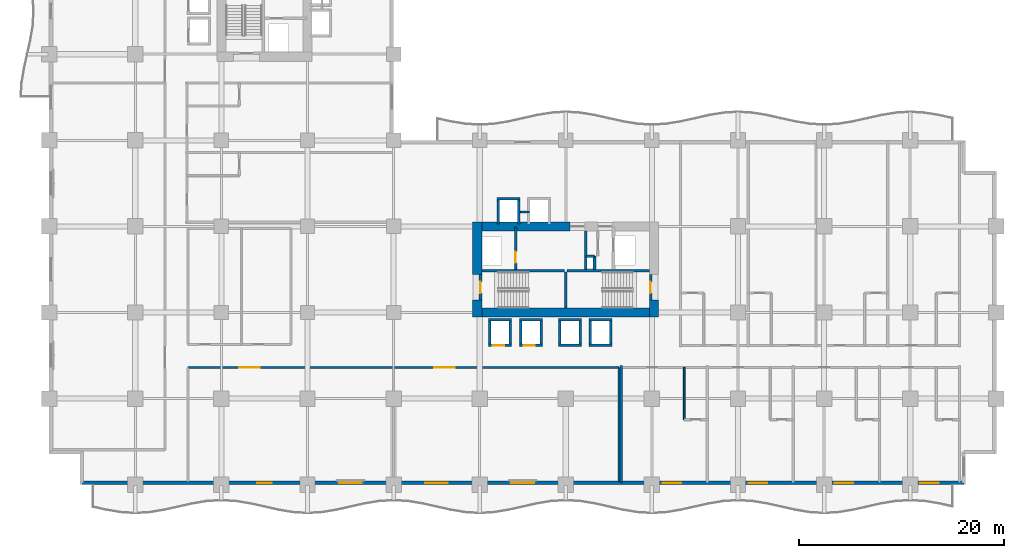
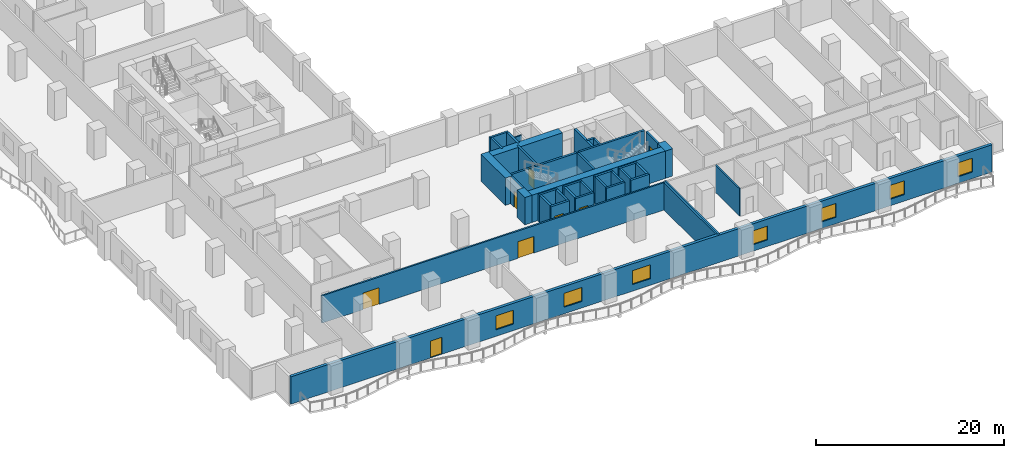
# One storey, part 8 of 21: 39 walls, 8 doors, 7 windows, 15 openings.
"""IFC4 building model written with IfcOpenShell, lengths in metres."""

from ifc_helpers import new_model, si_unit, direction, frame, frame_2d, origin, place, context, subcontext, project, spatial, rectangle, extrude, material, layer, layer_set, type_object, element, fill, save


model = new_model("IFC4")

# Units and contexts
model_context = context("Model", 3, precision=1e-05, world=origin(), true_north=direction((0.0, 1.0)))
body_context = subcontext(model_context, "Body", "Model", "MODEL_VIEW")
ifc_project = project(units=[si_unit("LENGTHUNIT", "METRE"), si_unit("AREAUNIT", "SQUARE_METRE"), si_unit("VOLUMEUNIT", "CUBIC_METRE"), si_unit("PLANEANGLEUNIT", "RADIAN"), si_unit("MASSUNIT", "GRAM", prefix="KILO")], contexts=[model_context])

# Site, building, storey
site_placement = place(None, origin())
site = spatial("IfcSite", under=ifc_project, at=site_placement, CompositionType="ELEMENT")
building_placement = place(site_placement, origin())
building = spatial("IfcBuilding", under=site, at=building_placement, Name="Koriwani Terraces Tower", CompositionType="ELEMENT")
storey_placement = place(building_placement, frame((0.0, 0.0, 77.60009765625)))
storey = spatial("IfcBuildingStorey", under=building, at=storey_placement, Name="L18", CompositionType="ELEMENT", Elevation=77.60009765625)

# Walls
ifc_material_1 = material(Name="Concrete C60/75", Category="concrete")
ifc_layer_1 = layer(ifc_material_1, 0.89990234375, Name="Concrete C60/75")
ifc_layer_set_1 = layer_set([ifc_layer_1], Name="Concrete C60/75")
wall_type_1 = type_object("IfcWallType", Name="WALL_CORE_RC_900", PredefinedType="SHEAR", material=ifc_layer_set_1)
wall_1_placement = place(storey_placement, frame((41.75, 16.35009765625, 0.0), z_axis=(0.0, 0.0, 1.0), x_axis=(0.0, 1.0, 0.0)))
element("IfcWall", 1, at=wall_1_placement, inside=storey, type_object=wall_type_1, Name="L18 East Split Core Shear Wall W1", PredefinedType="SHEAR", context=body_context, shape_type="SweptSolid", body=[
    extrude(rectangle(XDim=1.64990234375, YDim=0.89990234375, at=frame_2d((0.824951171875, 0.0))), origin(), (0.0, 0.0, 1.0), 3.5498046875),
])
wall_2_placement = place(storey_placement, frame((41.75, 20.5, 0.0), z_axis=(0.0, 0.0, 1.0), x_axis=(0.0, 1.0, 0.0)))
element("IfcWall", 2, at=wall_2_placement, inside=storey, type_object=wall_type_1, Name="L18 East Split Core Shear Wall W2", PredefinedType="SHEAR", context=body_context, shape_type="SweptSolid", body=[
    extrude(rectangle(XDim=5.14990234375, YDim=0.89990234375, at=frame_2d((2.574951171875, 0.0))), origin(), (0.0, 0.0, 1.0), 3.5498046875),
])
wall_3_placement = place(storey_placement, frame((59.0, 16.35009765625, 0.0), z_axis=(0.0, 0.0, 1.0), x_axis=(0.0, 1.0, 0.0)))
element("IfcWall", 3, at=wall_3_placement, inside=storey, type_object=wall_type_1, Name="L18 East Split Core Shear Wall E1", PredefinedType="SHEAR", context=body_context, shape_type="SweptSolid", body=[
    extrude(rectangle(XDim=1.64990234375, YDim=0.89990234375, at=frame_2d((0.824951171875, 0.0))), origin(), (0.0, 0.0, 1.0), 3.5498046875),
])
wall_4_placement = place(storey_placement, frame((42.199951171875, 16.800048828125, 0.0), z_axis=(0.0, 0.0, 1.0), x_axis=(1.0, 0.0, 0.0)))
element("IfcWall", 4, at=wall_4_placement, inside=storey, type_object=wall_type_1, Name="L18 East Split Core Shear Wall S1", PredefinedType="SHEAR", context=body_context, shape_type="SweptSolid", body=[
    extrude(rectangle(XDim=16.35009765625, YDim=0.89990234375, at=frame_2d((8.175048828125, 0.0))), origin(), (0.0, 0.0, 1.0), 3.5498046875),
])
wall_5_placement = place(storey_placement, frame((42.199951171875, 25.199951171875, 0.0), z_axis=(0.0, 0.0, 1.0), x_axis=(1.0, 0.0, 0.0)))
element("IfcWall", 5, at=wall_5_placement, inside=storey, type_object=wall_type_1, Name="L18 East Split Core Shear Wall N1", PredefinedType="SHEAR", context=body_context, shape_type="SweptSolid", body=[
    extrude(rectangle(XDim=8.60009765625, YDim=0.89990234375, at=frame_2d((4.300048828125, 0.0))), origin(), (0.0, 0.0, 1.0), 3.5498046875),
])

# Wall, openings, doors
ifc_material_2 = material(Name="Autoclaved Cellular Concrete Blockwork", Category="masonry")
ifc_layer_2 = layer(ifc_material_2, 0.199951171875, Name="Autoclaved Cellular Concrete Blockwork")
ifc_layer_set_2 = layer_set([ifc_layer_2], Name="Autoclaved Cellular Concrete Blockwork")
wall_type_2 = type_object("IfcWallType", Name="WALL_CORRIDOR_200", PredefinedType="PARTITIONING", material=ifc_layer_set_2)
wall_6_placement = place(storey_placement, frame((13.550048828125, 11.449951171875, 0.0), z_axis=(0.0, 0.0, 1.0), x_axis=(1.0, 0.0, 0.0)))
wall_6 = element("IfcWall", 6, at=wall_6_placement, inside=storey, type_object=wall_type_2, Name="L18 Interior Wall WZ1CLB-L18", PredefinedType="PARTITIONING", context=body_context, shape_type="SweptSolid", body=[
    extrude(rectangle(XDim=42.050048828125, YDim=0.199951171875, at=frame_2d((21.02490234375, 0.0))), origin(), (0.0, 0.0, 1.0), 3.5498046875),
])
opening_1_placement = place(wall_6_placement, frame((5.0, 0.0, 0.0)))
opening_1 = element("IfcOpeningElement", 7, at=opening_1_placement, cuts=wall_6, Name="Opening D-02", PredefinedType="OPENING", context=body_context, shape_type="SweptSolid", body=[
    extrude(rectangle(XDim=2.0, YDim=2.14990234375, at=frame_2d((1.0, 1.074951171875))), frame((0.0, 0.10986328125, 0.0), z_axis=(0.0, -1.0, 0.0), x_axis=(1.0, 0.0, 0.0)), (0.0, 0.0, 1.0), 0.219970703125),
])
opening_2_placement = place(wall_6_placement, frame((24.0, 0.0, 0.0)))
opening_2 = element("IfcOpeningElement", 8, at=opening_2_placement, cuts=wall_6, Name="Opening D-02", PredefinedType="OPENING", context=body_context, shape_type="SweptSolid", body=[
    extrude(rectangle(XDim=2.0, YDim=2.14990234375, at=frame_2d((1.0, 1.074951171875))), frame((0.0, 0.10986328125, 0.0), z_axis=(0.0, -1.0, 0.0), x_axis=(1.0, 0.0, 0.0)), (0.0, 0.0, 1.0), 0.219970703125),
])
ifc_material_3 = material(Name="Anodised Bronze Aluminium", Category="aluminium")
door_type_1 = type_object("IfcDoorType", Name="DOOR_ENTRANCE_DOUBLE_2000X2400", OperationType="NOTDEFINED", PredefinedType="DOOR", material=ifc_material_3)
door_1_placement = place(opening_1_placement, origin())
door_1 = element("IfcDoor", 9, at=door_1_placement, inside=storey, type_object=door_type_1, Name="L18 Executive Club Lounge Door", OperationType="SINGLE_SWING_RIGHT", OverallHeight=2.14990234375, OverallWidth=2.0, PredefinedType="DOOR", context=body_context, shape_type="SweptSolid", body=[
    extrude(rectangle(XDim=2.0, YDim=2.14990234375, at=frame_2d((1.0, 1.074951171875))), frame((0.0, 0.02490234375, 0.0), z_axis=(0.0, -1.0, 0.0), x_axis=(1.0, 0.0, 0.0)), (0.0, 0.0, 1.0), 0.050048828125),
])
fill(opening_1, door_1)
door_2_placement = place(opening_2_placement, origin())
door_2 = element("IfcDoor", 10, at=door_2_placement, inside=storey, type_object=door_type_1, Name="L18 Altitude Dining Salon Door", OperationType="SINGLE_SWING_LEFT", OverallHeight=2.14990234375, OverallWidth=2.0, PredefinedType="DOOR", context=body_context, shape_type="SweptSolid", body=[
    extrude(rectangle(XDim=2.0, YDim=2.14990234375, at=frame_2d((1.0, 1.074951171875))), frame((0.0, 0.02490234375, 0.0), z_axis=(0.0, -1.0, 0.0), x_axis=(1.0, 0.0, 0.0)), (0.0, 0.0, 1.0), 0.050048828125),
])
fill(opening_2, door_2)

# Walls
ifc_layer_3 = layer(ifc_material_2, 0.219970703125, Name="Autoclaved Cellular Concrete Blockwork")
ifc_layer_set_3 = layer_set([ifc_layer_3], Name="Autoclaved Cellular Concrete Blockwork")
wall_type_3 = type_object("IfcWallType", Name="WALL_DEMISING_220", PredefinedType="PARTITIONING", material=ifc_layer_set_3)
wall_7_placement = place(storey_placement, frame((55.60009765625, 0.300048828125, 0.0), z_axis=(0.0, 0.0, 1.0), x_axis=(0.0, 1.0, 0.0)))
element("IfcWall", 11, at=wall_7_placement, inside=storey, type_object=wall_type_3, Name="L18 Interior Wall WZ1CLBE-L18", PredefinedType="PARTITIONING", context=body_context, shape_type="SweptSolid", body=[
    extrude(rectangle(XDim=11.14990234375, YDim=0.219970703125, at=frame_2d((5.574951171875, 0.0))), origin(), (0.0, 0.0, 1.0), 3.5498046875),
])
wall_8_placement = place(storey_placement, frame((55.800048828125, 0.199951171875, 0.0), z_axis=(0.0, 0.0, 1.0), x_axis=(0.0, 1.0, 0.0)))
element("IfcWall", 12, at=wall_8_placement, inside=storey, type_object=wall_type_3, Name="L18 Interior Wall WDEM-L18-SW-0", PredefinedType="PARTITIONING", context=body_context, shape_type="SweptSolid", body=[
    extrude(rectangle(XDim=11.429931640625, YDim=0.219970703125, at=frame_2d((5.71484375, 0.0))), origin(), (0.0, 0.0, 1.0), 3.5498046875),
])

# Wall, openings, door, windows
ifc_material_4 = material(Name="Concrete C50/60", Category="concrete")
ifc_layer_4 = layer(ifc_material_4, 0.35009765625, Name="Concrete C50/60")
ifc_layer_set_4 = layer_set([ifc_layer_4], Name="Concrete C50/60")
wall_type_4 = type_object("IfcWallType", Name="WALL_EXT_BRUTALIST_350", PredefinedType="STANDARD", material=ifc_layer_set_4)
wall_9_placement = place(storey_placement, frame((89.22509765625, 0.175048828125, 0.0), z_axis=(0.0, 0.0, 1.0), x_axis=(-1.0, 0.0, 0.0)))
wall_9 = element("IfcWall", 13, at=wall_9_placement, inside=storey, type_object=wall_type_4, Name="L18 Fair-Faced Brutalist Exterior Wall (S)", PredefinedType="STANDARD", context=body_context, shape_type="SweptSolid", body=[
    extrude(rectangle(XDim=86.050048828125, YDim=0.35009765625, at=frame_2d((43.02490234375, 0.0))), origin(), (0.0, 0.0, 1.0), 3.5498046875),
])
opening_3_placement = place(wall_9_placement, frame((67.52490234375, 0.0, 0.0)))
opening_3 = element("IfcOpeningElement", 14, at=opening_3_placement, cuts=wall_9, Name="Opening D-09", PredefinedType="OPENING", context=body_context, shape_type="SweptSolid", body=[
    extrude(rectangle(XDim=1.39990234375, YDim=2.199951171875, at=frame_2d((0.699951171875, 1.10009765625))), frame((0.0, 0.18505859375, 0.0), z_axis=(0.0, -1.0, 0.0), x_axis=(1.0, 0.0, 0.0)), (0.0, 0.0, 1.0), 0.3701171875),
])
opening_4_placement = place(wall_9_placement, frame((58.72509765625, 0.0, 0.85009765625)))
opening_4 = element("IfcOpeningElement", 15, at=opening_4_placement, cuts=wall_9, Name="Opening W-01", PredefinedType="OPENING", context=body_context, shape_type="SweptSolid", body=[
    extrude(rectangle(XDim=2.199951171875, YDim=1.800048828125, at=frame_2d((1.10009765625, 0.89990234375))), frame((0.0, 0.18505859375, 0.0), z_axis=(0.0, -1.0, 0.0), x_axis=(1.0, 0.0, 0.0)), (0.0, 0.0, 1.0), 0.3701171875),
])
opening_5_placement = place(wall_9_placement, frame((50.324951171875, 0.0, 0.85009765625)))
opening_5 = element("IfcOpeningElement", 16, at=opening_5_placement, cuts=wall_9, Name="Opening W-01", PredefinedType="OPENING", context=body_context, shape_type="SweptSolid", body=[
    extrude(rectangle(XDim=2.199951171875, YDim=1.800048828125, at=frame_2d((1.10009765625, 0.89990234375))), frame((0.0, 0.18505859375, 0.0), z_axis=(0.0, -1.0, 0.0), x_axis=(1.0, 0.0, 0.0)), (0.0, 0.0, 1.0), 0.3701171875),
])
opening_6_placement = place(wall_9_placement, frame((41.925048828125, 0.0, 0.85009765625)))
opening_6 = element("IfcOpeningElement", 17, at=opening_6_placement, cuts=wall_9, Name="Opening W-01", PredefinedType="OPENING", context=body_context, shape_type="SweptSolid", body=[
    extrude(rectangle(XDim=2.199951171875, YDim=1.800048828125, at=frame_2d((1.10009765625, 0.89990234375))), frame((0.0, 0.18505859375, 0.0), z_axis=(0.0, -1.0, 0.0), x_axis=(1.0, 0.0, 0.0)), (0.0, 0.0, 1.0), 0.3701171875),
])
opening_7_placement = place(wall_9_placement, frame((27.574951171875, 0.0, 0.85009765625)))
opening_7 = element("IfcOpeningElement", 18, at=opening_7_placement, cuts=wall_9, Name="Opening W-04", PredefinedType="OPENING", context=body_context, shape_type="SweptSolid", body=[
    extrude(rectangle(XDim=1.800048828125, YDim=1.800048828125, at=frame_2d((0.89990234375, 0.89990234375))), frame((0.0, 0.18505859375, 0.0), z_axis=(0.0, -1.0, 0.0), x_axis=(1.0, 0.0, 0.0)), (0.0, 0.0, 1.0), 0.3701171875),
])
opening_8_placement = place(wall_9_placement, frame((19.175048828125, 0.0, 0.85009765625)))
opening_8 = element("IfcOpeningElement", 19, at=opening_8_placement, cuts=wall_9, Name="Opening W-04", PredefinedType="OPENING", context=body_context, shape_type="SweptSolid", body=[
    extrude(rectangle(XDim=1.800048828125, YDim=1.800048828125, at=frame_2d((0.89990234375, 0.89990234375))), frame((0.0, 0.18505859375, 0.0), z_axis=(0.0, -1.0, 0.0), x_axis=(1.0, 0.0, 0.0)), (0.0, 0.0, 1.0), 0.3701171875),
])
opening_9_placement = place(wall_9_placement, frame((10.77490234375, 0.0, 0.85009765625)))
opening_9 = element("IfcOpeningElement", 20, at=opening_9_placement, cuts=wall_9, Name="Opening W-04", PredefinedType="OPENING", context=body_context, shape_type="SweptSolid", body=[
    extrude(rectangle(XDim=1.800048828125, YDim=1.800048828125, at=frame_2d((0.89990234375, 0.89990234375))), frame((0.0, 0.18505859375, 0.0), z_axis=(0.0, -1.0, 0.0), x_axis=(1.0, 0.0, 0.0)), (0.0, 0.0, 1.0), 0.3701171875),
])
opening_10_placement = place(wall_9_placement, frame((2.425048828125, 0.0, 0.85009765625)))
opening_10 = element("IfcOpeningElement", 21, at=opening_10_placement, cuts=wall_9, Name="Opening W-04", PredefinedType="OPENING", context=body_context, shape_type="SweptSolid", body=[
    extrude(rectangle(XDim=1.800048828125, YDim=1.800048828125, at=frame_2d((0.89990234375, 0.89990234375))), frame((0.0, 0.18505859375, 0.0), z_axis=(0.0, -1.0, 0.0), x_axis=(1.0, 0.0, 0.0)), (0.0, 0.0, 1.0), 0.3701171875),
])
door_type_2 = type_object("IfcDoorType", Name="DOOR_BALCONY_GLAZED_1400X2200", OperationType="NOTDEFINED", PredefinedType="DOOR", material=ifc_material_3)
door_3_placement = place(opening_3_placement, origin())
door_3 = element("IfcDoor", 22, at=door_3_placement, inside=storey, type_object=door_type_2, Name="L18 South Balcony Glazed Door", OperationType="SINGLE_SWING_LEFT", OverallHeight=2.199951171875, OverallWidth=1.39990234375, PredefinedType="DOOR", context=body_context, shape_type="SweptSolid", body=[
    extrude(rectangle(XDim=1.39990234375, YDim=2.199951171875, at=frame_2d((0.699951171875, 1.10009765625))), frame((0.0, 0.02490234375, 0.0), z_axis=(0.0, -1.0, 0.0), x_axis=(1.0, 0.0, 0.0)), (0.0, 0.0, 1.0), 0.050048828125),
])
fill(opening_3, door_3)
ifc_material_5 = material(Name="Tempered Laminated Low-E Glass", Category="glass")
window_type_1 = type_object("IfcWindowType", Name="WIN_HOTEL_STD_2200X1800", PartitioningType="DOUBLE_PANEL_VERTICAL", PredefinedType="WINDOW", material=ifc_material_5)
window_1_placement = place(opening_4_placement, origin())
window_1 = element("IfcWindow", 23, at=window_1_placement, inside=storey, type_object=window_type_1, Name="L18 Exterior Window (S-9)", OverallHeight=1.800048828125, OverallWidth=2.199951171875, PartitioningType="SINGLE_PANEL", PredefinedType="WINDOW", context=body_context, shape_type="SweptSolid", body=[
    extrude(rectangle(XDim=2.199951171875, YDim=1.800048828125, at=frame_2d((1.10009765625, 0.89990234375))), frame((0.0, 0.030029296875, 0.0), z_axis=(0.0, -1.0, 0.0), x_axis=(1.0, 0.0, 0.0)), (0.0, 0.0, 1.0), 0.06005859375),
])
fill(opening_4, window_1)
window_2_placement = place(opening_5_placement, origin())
window_2 = element("IfcWindow", 24, at=window_2_placement, inside=storey, type_object=window_type_1, Name="L18 Exterior Window (S-12)", OverallHeight=1.800048828125, OverallWidth=2.199951171875, PartitioningType="SINGLE_PANEL", PredefinedType="WINDOW", context=body_context, shape_type="SweptSolid", body=[
    extrude(rectangle(XDim=2.199951171875, YDim=1.800048828125, at=frame_2d((1.10009765625, 0.89990234375))), frame((0.0, 0.030029296875, 0.0), z_axis=(0.0, -1.0, 0.0), x_axis=(1.0, 0.0, 0.0)), (0.0, 0.0, 1.0), 0.06005859375),
])
fill(opening_5, window_2)
window_3_placement = place(opening_6_placement, origin())
window_3 = element("IfcWindow", 25, at=window_3_placement, inside=storey, type_object=window_type_1, Name="L18 Exterior Window (S-15)", OverallHeight=1.800048828125, OverallWidth=2.199951171875, PartitioningType="SINGLE_PANEL", PredefinedType="WINDOW", context=body_context, shape_type="SweptSolid", body=[
    extrude(rectangle(XDim=2.199951171875, YDim=1.800048828125, at=frame_2d((1.10009765625, 0.89990234375))), frame((0.0, 0.030029296875, 0.0), z_axis=(0.0, -1.0, 0.0), x_axis=(1.0, 0.0, 0.0)), (0.0, 0.0, 1.0), 0.06005859375),
])
fill(opening_6, window_3)
window_type_2 = type_object("IfcWindowType", Name="WIN_RES_BED_1800X1800", PartitioningType="DOUBLE_PANEL_VERTICAL", PredefinedType="WINDOW", material=ifc_material_5)
window_4_placement = place(opening_7_placement, origin())
window_4 = element("IfcWindow", 26, at=window_4_placement, inside=storey, type_object=window_type_2, Name="L18 Exterior Window (S-R39)", OverallHeight=1.800048828125, OverallWidth=1.800048828125, PartitioningType="SINGLE_PANEL", PredefinedType="WINDOW", context=body_context, shape_type="SweptSolid", body=[
    extrude(rectangle(XDim=1.800048828125, YDim=1.800048828125, at=frame_2d((0.89990234375, 0.89990234375))), frame((0.0, 0.030029296875, 0.0), z_axis=(0.0, -1.0, 0.0), x_axis=(1.0, 0.0, 0.0)), (0.0, 0.0, 1.0), 0.06005859375),
])
fill(opening_7, window_4)
window_5_placement = place(opening_8_placement, origin())
window_5 = element("IfcWindow", 27, at=window_5_placement, inside=storey, type_object=window_type_2, Name="L18 Exterior Window (S-R41)", OverallHeight=1.800048828125, OverallWidth=1.800048828125, PartitioningType="SINGLE_PANEL", PredefinedType="WINDOW", context=body_context, shape_type="SweptSolid", body=[
    extrude(rectangle(XDim=1.800048828125, YDim=1.800048828125, at=frame_2d((0.89990234375, 0.89990234375))), frame((0.0, 0.030029296875, 0.0), z_axis=(0.0, -1.0, 0.0), x_axis=(1.0, 0.0, 0.0)), (0.0, 0.0, 1.0), 0.06005859375),
])
fill(opening_8, window_5)
window_6_placement = place(opening_9_placement, origin())
window_6 = element("IfcWindow", 28, at=window_6_placement, inside=storey, type_object=window_type_2, Name="L18 Exterior Window (S-R43)", OverallHeight=1.800048828125, OverallWidth=1.800048828125, PartitioningType="SINGLE_PANEL", PredefinedType="WINDOW", context=body_context, shape_type="SweptSolid", body=[
    extrude(rectangle(XDim=1.800048828125, YDim=1.800048828125, at=frame_2d((0.89990234375, 0.89990234375))), frame((0.0, 0.030029296875, 0.0), z_axis=(0.0, -1.0, 0.0), x_axis=(1.0, 0.0, 0.0)), (0.0, 0.0, 1.0), 0.06005859375),
])
fill(opening_9, window_6)
window_7_placement = place(opening_10_placement, origin())
window_7 = element("IfcWindow", 29, at=window_7_placement, inside=storey, type_object=window_type_2, Name="L18 Exterior Window (S-R45)", OverallHeight=1.800048828125, OverallWidth=1.800048828125, PartitioningType="SINGLE_PANEL", PredefinedType="WINDOW", context=body_context, shape_type="SweptSolid", body=[
    extrude(rectangle(XDim=1.800048828125, YDim=1.800048828125, at=frame_2d((0.89990234375, 0.89990234375))), frame((0.0, 0.030029296875, 0.0), z_axis=(0.0, -1.0, 0.0), x_axis=(1.0, 0.0, 0.0)), (0.0, 0.0, 1.0), 0.06005859375),
])
fill(opening_10, window_7)

# Walls
ifc_material_6 = material(Name="Fire-Rated Acoustic Gypsum Partition", Category="masonry")
ifc_layer_5 = layer(ifc_material_6, 0.179931640625, Name="Fire-Rated Acoustic Gypsum Partition")
ifc_layer_set_5 = layer_set([ifc_layer_5], Name="Fire-Rated Acoustic Gypsum Partition")
wall_type_5 = type_object("IfcWallType", Name="WALL_PLUMBING_180", PredefinedType="PLUMBINGWALL", material=ifc_layer_set_5)
wall_10_placement = place(storey_placement, frame((61.949951171875, 6.35009765625, 0.0), z_axis=(0.0, 0.0, 1.0), x_axis=(0.0, 1.0, 0.0)))
element("IfcWall", 30, at=wall_10_placement, inside=storey, type_object=wall_type_5, Name="L18 Interior Wall WBTH2-L18-SW-0", PredefinedType="PLUMBINGWALL", context=body_context, shape_type="SweptSolid", body=[
    extrude(rectangle(XDim=5.099853515625, YDim=0.179931640625, at=frame_2d((2.5498046875, 0.0))), origin(), (0.0, 0.0, 1.0), 3.5498046875),
])
ifc_material_7 = material(Name="Concrete C40/50", Category="concrete")
ifc_layer_6 = layer(ifc_material_7, 0.25, Name="Concrete C40/50")
ifc_layer_set_6 = layer_set([ifc_layer_6], Name="Concrete C40/50")
wall_type_6 = type_object("IfcWallType", Name="WALL_SHAFT_RATED_250", PredefinedType="SOLIDWALL", material=ifc_layer_set_6)
for number, where, z_axis, x_axis, name in (
    (31, (42.199951171875, 20.875, 0.0), (0.0, 0.0, 1.0), (1.0, 0.0, 0.0), "L18 East Split Core Web Wall MID1"),
    (32, (50.5, 20.875, 0.0), (0.0, 0.0, 1.0), (1.0, 0.0, 0.0), "L18 East Split Core Web Wall MID2"),
):
    element("IfcWall", number, at=place(storey_placement, frame(where, z_axis=z_axis, x_axis=x_axis)), inside=storey, type_object=wall_type_6, Name=name, PredefinedType="SOLIDWALL", context=body_context, shape_type="SweptSolid", body=[
        extrude(rectangle(XDim=8.050048828125, YDim=0.25, at=frame_2d((4.02490234375, 0.0))), origin(), (0.0, 0.0, 1.0), 3.5498046875),
    ])
wall_11_placement = place(storey_placement, frame((50.375, 17.25, 0.0), z_axis=(0.0, 0.0, 1.0), x_axis=(0.0, 1.0, 0.0)))
element("IfcWall", 33, at=wall_11_placement, inside=storey, type_object=wall_type_6, Name="L18 East Split Core Stair Dividing Wall", PredefinedType="SOLIDWALL", context=body_context, shape_type="SweptSolid", body=[
    extrude(rectangle(XDim=3.5, YDim=0.25, at=frame_2d((1.75, 0.0))), origin(), (0.0, 0.0, 1.0), 3.5498046875),
])

# Wall, opening, door
wall_12_placement = place(storey_placement, frame((42.074951171875, 18.0, 0.0), z_axis=(0.0, 0.0, 1.0), x_axis=(0.0, 1.0, 0.0)))
wall_12 = element("IfcWall", 34, at=wall_12_placement, inside=storey, type_object=wall_type_6, Name="L18 Interior Wall WIN-CE-L18-STW", PredefinedType="SOLIDWALL", context=body_context, shape_type="SweptSolid", body=[
    extrude(rectangle(XDim=2.5, YDim=0.25, at=frame_2d((1.25, 0.0))), origin(), (0.0, 0.0, 1.0), 3.5498046875),
])
opening_11_placement = place(wall_12_placement, frame((0.699951171875, 0.0, 0.0)))
opening_11 = element("IfcOpeningElement", 35, at=opening_11_placement, cuts=wall_12, Name="Opening D-03", PredefinedType="OPENING", context=body_context, shape_type="SweptSolid", body=[
    extrude(rectangle(XDim=1.10009765625, YDim=2.14990234375, at=frame_2d((0.550048828125, 1.074951171875))), frame((0.0, 0.135009765625, 0.0), z_axis=(0.0, -1.0, 0.0), x_axis=(1.0, 0.0, 0.0)), (0.0, 0.0, 1.0), 0.27001953125),
])
ifc_material_8 = material(Name="Steel ASTM A572 Grade 50", Category="steel")
door_type_3 = type_object("IfcDoorType", Name="DOOR_STAIR_FIRE_1100X2150", OperationType="NOTDEFINED", PredefinedType="DOOR", material=ifc_material_8)
door_4_placement = place(opening_11_placement, origin())
door_4 = element("IfcDoor", 36, at=door_4_placement, inside=storey, type_object=door_type_3, Name="L18 Exit Stair ST-E1 Door", OperationType="SINGLE_SWING_LEFT", OverallHeight=2.14990234375, OverallWidth=1.10009765625, PredefinedType="DOOR", context=body_context, shape_type="SweptSolid", body=[
    extrude(rectangle(XDim=1.10009765625, YDim=2.14990234375, at=frame_2d((0.550048828125, 1.074951171875))), frame((0.0, 0.02490234375, 0.0), z_axis=(0.0, -1.0, 0.0), x_axis=(1.0, 0.0, 0.0)), (0.0, 0.0, 1.0), 0.050048828125),
])
fill(opening_11, door_4)

wall_13_placement = place(storey_placement, frame((58.675048828125, 18.0, 0.0), z_axis=(0.0, 0.0, 1.0), x_axis=(0.0, 1.0, 0.0)))
wall_13 = element("IfcWall", 37, at=wall_13_placement, inside=storey, type_object=wall_type_6, Name="L18 Interior Wall WIN-CE-L18-STE", PredefinedType="SOLIDWALL", context=body_context, shape_type="SweptSolid", body=[
    extrude(rectangle(XDim=2.5, YDim=0.25, at=frame_2d((1.25, 0.0))), origin(), (0.0, 0.0, 1.0), 3.5498046875),
])
opening_12_placement = place(wall_13_placement, frame((0.699951171875, 0.0, 0.0)))
opening_12 = element("IfcOpeningElement", 38, at=opening_12_placement, cuts=wall_13, Name="Opening D-03", PredefinedType="OPENING", context=body_context, shape_type="SweptSolid", body=[
    extrude(rectangle(XDim=1.10009765625, YDim=2.14990234375, at=frame_2d((0.550048828125, 1.074951171875))), frame((0.0, 0.135009765625, 0.0), z_axis=(0.0, -1.0, 0.0), x_axis=(1.0, 0.0, 0.0)), (0.0, 0.0, 1.0), 0.27001953125),
])
door_5_placement = place(opening_12_placement, origin())
door_5 = element("IfcDoor", 39, at=door_5_placement, inside=storey, type_object=door_type_3, Name="L18 Exit Stair ST-E2 Door", OperationType="SINGLE_SWING_RIGHT", OverallHeight=2.14990234375, OverallWidth=1.10009765625, PredefinedType="DOOR", context=body_context, shape_type="SweptSolid", body=[
    extrude(rectangle(XDim=1.10009765625, YDim=2.14990234375, at=frame_2d((0.550048828125, 1.074951171875))), frame((0.0, 0.02490234375, 0.0), z_axis=(0.0, -1.0, 0.0), x_axis=(1.0, 0.0, 0.0)), (0.0, 0.0, 1.0), 0.050048828125),
])
fill(opening_12, door_5)

wall_14_placement = place(storey_placement, frame((45.5, 21.0, 0.0), z_axis=(0.0, 0.0, 1.0), x_axis=(0.0, 1.0, 0.0)))
wall_14 = element("IfcWall", 40, at=wall_14_placement, inside=storey, type_object=wall_type_6, Name="L18 Interior Wall WIN-CE-L18-FE", PredefinedType="SOLIDWALL", context=body_context, shape_type="SweptSolid", body=[
    extrude(rectangle(XDim=4.14990234375, YDim=0.25, at=frame_2d((2.074951171875, 0.0))), origin(), (0.0, 0.0, 1.0), 3.5498046875),
])
opening_13_placement = place(wall_14_placement, frame((0.64990234375, 0.0, 0.0)))
opening_13 = element("IfcOpeningElement", 41, at=opening_13_placement, cuts=wall_14, Name="Opening LD-01", PredefinedType="OPENING", context=body_context, shape_type="SweptSolid", body=[
    extrude(rectangle(XDim=1.10009765625, YDim=2.14990234375, at=frame_2d((0.550048828125, 1.074951171875))), frame((0.0, 0.135009765625, 0.0), z_axis=(0.0, -1.0, 0.0), x_axis=(1.0, 0.0, 0.0)), (0.0, 0.0, 1.0), 0.27001953125),
])
door_type_4 = type_object("IfcDoorType", Name="DOOR_LIFT_LANDING_1100X2200", OperationType="NOTDEFINED", PredefinedType="DOOR", material=ifc_material_8)
door_6_placement = place(opening_13_placement, origin())
door_6 = element("IfcDoor", 42, at=door_6_placement, inside=storey, type_object=door_type_4, Name="L18 Firefighting Lift FE-02 Landing Door", OperationType="SLIDING_TO_LEFT", OverallHeight=2.14990234375, OverallWidth=1.10009765625, PredefinedType="DOOR", context=body_context, shape_type="SweptSolid", body=[
    extrude(rectangle(XDim=1.10009765625, YDim=2.14990234375, at=frame_2d((0.550048828125, 1.074951171875))), frame((0.0, 0.02490234375, 0.0), z_axis=(0.0, -1.0, 0.0), x_axis=(1.0, 0.0, 0.0)), (0.0, 0.0, 1.0), 0.050048828125),
])
fill(opening_13, door_6)

# Walls
wall_15_placement = place(storey_placement, frame((52.340087890625, 21.0, 0.0), z_axis=(0.0, 0.0, 1.0), x_axis=(0.0, 1.0, 0.0)))
element("IfcWall", 43, at=wall_15_placement, inside=storey, type_object=wall_type_6, Name="L18 Interior Wall WIN-CE-L18-FFE", PredefinedType="SOLIDWALL", context=body_context, shape_type="SweptSolid", body=[
    extrude(rectangle(XDim=3.75, YDim=0.25, at=frame_2d((1.875, 0.0))), origin(), (0.0, 0.0, 1.0), 3.5498046875),
])
wall_16_placement = place(storey_placement, frame((53.199951171875, 21.0, 0.0), z_axis=(0.0, 0.0, 1.0), x_axis=(0.0, 1.0, 0.0)))
element("IfcWall", 44, at=wall_16_placement, inside=storey, type_object=wall_type_6, Name="L18 Interior Wall WIN-CE-L18-RS1", PredefinedType="SOLIDWALL", context=body_context, shape_type="SweptSolid", body=[
    extrude(rectangle(XDim=1.300048828125, YDim=0.25, at=frame_2d((0.64990234375, 0.0))), origin(), (0.0, 0.0, 1.0), 3.5498046875),
])
wall_17_placement = place(storey_placement, frame((52.360107421875, 22.300048828125, 0.0), z_axis=(0.0, 0.0, 1.0), x_axis=(1.0, 0.0, 0.0)))
element("IfcWall", 45, at=wall_17_placement, inside=storey, type_object=wall_type_6, Name="L18 Interior Wall WIN-CE-L18-RS2", PredefinedType="SOLIDWALL", context=body_context, shape_type="SweptSolid", body=[
    extrude(rectangle(XDim=0.83984375, YDim=0.25, at=frame_2d((0.419921875, 0.0))), origin(), (0.0, 0.0, 1.0), 3.5498046875),
])

# Wall, opening, door
wall_18_placement = place(storey_placement, frame((42.875, 13.60009765625, 0.0), z_axis=(0.0, 0.0, 1.0), x_axis=(1.0, 0.0, 0.0)))
wall_18 = element("IfcWall", 46, at=wall_18_placement, inside=storey, type_object=wall_type_6, Name="L18 Interior Wall WIN-LF-PE-L3-L18-F", PredefinedType="SOLIDWALL", context=body_context, shape_type="SweptSolid", body=[
    extrude(rectangle(XDim=2.25, YDim=0.25, at=frame_2d((1.125, 0.0))), origin(), (0.0, 0.0, 1.0), 3.5498046875),
])
opening_14_placement = place(wall_18_placement, frame((0.39990234375, 0.0, 0.0)))
opening_14 = element("IfcOpeningElement", 47, at=opening_14_placement, cuts=wall_18, Name="Opening LD-01", PredefinedType="OPENING", context=body_context, shape_type="SweptSolid", body=[
    extrude(rectangle(XDim=1.10009765625, YDim=2.14990234375, at=frame_2d((0.550048828125, 1.074951171875))), frame((0.0, 0.135009765625, 0.0), z_axis=(0.0, -1.0, 0.0), x_axis=(1.0, 0.0, 0.0)), (0.0, 0.0, 1.0), 0.27001953125),
])
door_7_placement = place(opening_14_placement, origin())
door_7 = element("IfcDoor", 48, at=door_7_placement, inside=storey, type_object=door_type_4, Name="L18 Passenger Lift PE-L3 Landing Door", OperationType="SLIDING_TO_LEFT", OverallHeight=2.14990234375, OverallWidth=1.10009765625, PredefinedType="DOOR", context=body_context, shape_type="SweptSolid", body=[
    extrude(rectangle(XDim=1.10009765625, YDim=2.14990234375, at=frame_2d((0.550048828125, 1.074951171875))), frame((0.0, 0.02490234375, 0.0), z_axis=(0.0, -1.0, 0.0), x_axis=(1.0, 0.0, 0.0)), (0.0, 0.0, 1.0), 0.050048828125),
])
fill(opening_14, door_7)

# Walls
for number, where, z_axis, x_axis, name in (
    (49, (42.875, 16.10009765625, 0.0), (0.0, 0.0, 1.0), (1.0, 0.0, 0.0), "L18 Interior Wall WIN-LF-PE-L3-L18-B"),
    (50, (43.0, 13.72509765625, 0.0), (0.0, 0.0, 1.0), (0.0, 1.0, 0.0), "L18 Interior Wall WIN-LF-PE-L3-L18-W"),
    (51, (45.0, 13.72509765625, 0.0), (0.0, 0.0, 1.0), (0.0, 1.0, 0.0), "L18 Interior Wall WIN-LF-PE-L3-L18-E"),
):
    element("IfcWall", number, at=place(storey_placement, frame(where, z_axis=z_axis, x_axis=x_axis)), inside=storey, type_object=wall_type_6, Name=name, PredefinedType="SOLIDWALL", context=body_context, shape_type="SweptSolid", body=[
        extrude(rectangle(XDim=2.25, YDim=0.25, at=frame_2d((1.125, 0.0))), origin(), (0.0, 0.0, 1.0), 3.5498046875),
    ])

# Wall, opening, door
wall_19_placement = place(storey_placement, frame((45.875, 13.60009765625, 0.0), z_axis=(0.0, 0.0, 1.0), x_axis=(1.0, 0.0, 0.0)))
wall_19 = element("IfcWall", 52, at=wall_19_placement, inside=storey, type_object=wall_type_6, Name="L18 Interior Wall WIN-LF-PE-L4-L18-F", PredefinedType="SOLIDWALL", context=body_context, shape_type="SweptSolid", body=[
    extrude(rectangle(XDim=2.25, YDim=0.25, at=frame_2d((1.125, 0.0))), origin(), (0.0, 0.0, 1.0), 3.5498046875),
])
opening_15_placement = place(wall_19_placement, frame((0.39990234375, 0.0, 0.0)))
opening_15 = element("IfcOpeningElement", 53, at=opening_15_placement, cuts=wall_19, Name="Opening LD-01", PredefinedType="OPENING", context=body_context, shape_type="SweptSolid", body=[
    extrude(rectangle(XDim=1.10009765625, YDim=2.14990234375, at=frame_2d((0.550048828125, 1.074951171875))), frame((0.0, 0.135009765625, 0.0), z_axis=(0.0, -1.0, 0.0), x_axis=(1.0, 0.0, 0.0)), (0.0, 0.0, 1.0), 0.27001953125),
])
door_8_placement = place(opening_15_placement, origin())
door_8 = element("IfcDoor", 54, at=door_8_placement, inside=storey, type_object=door_type_4, Name="L18 Passenger Lift PE-L4 Landing Door", OperationType="SLIDING_TO_LEFT", OverallHeight=2.14990234375, OverallWidth=1.10009765625, PredefinedType="DOOR", context=body_context, shape_type="SweptSolid", body=[
    extrude(rectangle(XDim=1.10009765625, YDim=2.14990234375, at=frame_2d((0.550048828125, 1.074951171875))), frame((0.0, 0.02490234375, 0.0), z_axis=(0.0, -1.0, 0.0), x_axis=(1.0, 0.0, 0.0)), (0.0, 0.0, 1.0), 0.050048828125),
])
fill(opening_15, door_8)

# Walls
for number, where, z_axis, x_axis, name in (
    (55, (45.875, 16.10009765625, 0.0), (0.0, 0.0, 1.0), (1.0, 0.0, 0.0), "L18 Interior Wall WIN-LF-PE-L4-L18-B"),
    (56, (46.0, 13.72509765625, 0.0), (0.0, 0.0, 1.0), (0.0, 1.0, 0.0), "L18 Interior Wall WIN-LF-PE-L4-L18-W"),
    (57, (48.0, 13.72509765625, 0.0), (0.0, 0.0, 1.0), (0.0, 1.0, 0.0), "L18 Interior Wall WIN-LF-PE-L4-L18-E"),
    (58, (49.675048828125, 13.60009765625, 0.0), (0.0, 0.0, 1.0), (1.0, 0.0, 0.0), "L18 Interior Wall WIN-LF-PE-M3-L18-F"),
    (59, (49.675048828125, 16.10009765625, 0.0), (0.0, 0.0, 1.0), (1.0, 0.0, 0.0), "L18 Interior Wall WIN-LF-PE-M3-L18-B"),
    (60, (49.800048828125, 13.72509765625, 0.0), (0.0, 0.0, 1.0), (0.0, 1.0, 0.0), "L18 Interior Wall WIN-LF-PE-M3-L18-W"),
    (61, (51.800048828125, 13.72509765625, 0.0), (0.0, 0.0, 1.0), (0.0, 1.0, 0.0), "L18 Interior Wall WIN-LF-PE-M3-L18-E"),
    (62, (52.675048828125, 13.60009765625, 0.0), (0.0, 0.0, 1.0), (1.0, 0.0, 0.0), "L18 Interior Wall WIN-LF-PE-M4-L18-F"),
    (63, (52.675048828125, 16.10009765625, 0.0), (0.0, 0.0, 1.0), (1.0, 0.0, 0.0), "L18 Interior Wall WIN-LF-PE-M4-L18-B"),
    (64, (52.800048828125, 13.72509765625, 0.0), (0.0, 0.0, 1.0), (0.0, 1.0, 0.0), "L18 Interior Wall WIN-LF-PE-M4-L18-W"),
    (65, (54.800048828125, 13.72509765625, 0.0), (0.0, 0.0, 1.0), (0.0, 1.0, 0.0), "L18 Interior Wall WIN-LF-PE-M4-L18-E"),
    (66, (43.675048828125, 27.89990234375, 0.0), (0.0, 0.0, 1.0), (1.0, 0.0, 0.0), "L18 Interior Wall WIN-LF-PE-H3-L18-F"),
):
    element("IfcWall", number, at=place(storey_placement, frame(where, z_axis=z_axis, x_axis=x_axis)), inside=storey, type_object=wall_type_6, Name=name, PredefinedType="SOLIDWALL", context=body_context, shape_type="SweptSolid", body=[
        extrude(rectangle(XDim=2.25, YDim=0.25, at=frame_2d((1.125, 0.0))), origin(), (0.0, 0.0, 1.0), 3.5498046875),
    ])
for number, where, z_axis, x_axis, name in (
    (67, (43.800048828125, 25.449951171875, 0.0), (0.0, 0.0, 1.0), (0.0, 1.0, 0.0), "L18 Interior Wall WIN-LF-PE-H3-L18-W"),
    (68, (45.800048828125, 25.449951171875, 0.0), (0.0, 0.0, 1.0), (0.0, 1.0, 0.0), "L18 Interior Wall WIN-LF-PE-H3-L18-E"),
):
    element("IfcWall", number, at=place(storey_placement, frame(where, z_axis=z_axis, x_axis=x_axis)), inside=storey, type_object=wall_type_6, Name=name, PredefinedType="SOLIDWALL", context=body_context, shape_type="SweptSolid", body=[
        extrude(rectangle(XDim=2.324951171875, YDim=0.25, at=frame_2d((1.16259765625, 0.0))), origin(), (0.0, 0.0, 1.0), 3.5498046875),
    ])
ifc_layer_7 = layer(ifc_material_6, 0.159912109375, Name="Fire-Rated Acoustic Gypsum Partition")
ifc_layer_set_7 = layer_set([ifc_layer_7], Name="Fire-Rated Acoustic Gypsum Partition")
wall_type_7 = type_object("IfcWallType", Name="WALL_SUITE_160", PredefinedType="PARTITIONING", material=ifc_layer_set_7)
wall_20_placement = place(storey_placement, frame((45.9599609375, 26.60009765625, 0.0), z_axis=(0.0, 0.0, 1.0), x_axis=(1.0, 0.0, 0.0)))
element("IfcWall", 69, at=wall_20_placement, inside=storey, type_object=wall_type_7, Name="L18 Interior Wall WIN-LF-PEH34-MID-L18", PredefinedType="PARTITIONING", context=body_context, shape_type="SweptSolid", body=[
    extrude(rectangle(XDim=0.880126953125, YDim=0.159912109375, at=frame_2d((0.43994140625, 0.0))), origin(), (0.0, 0.0, 1.0), 3.5498046875),
])

save(model, "model.ifc")
